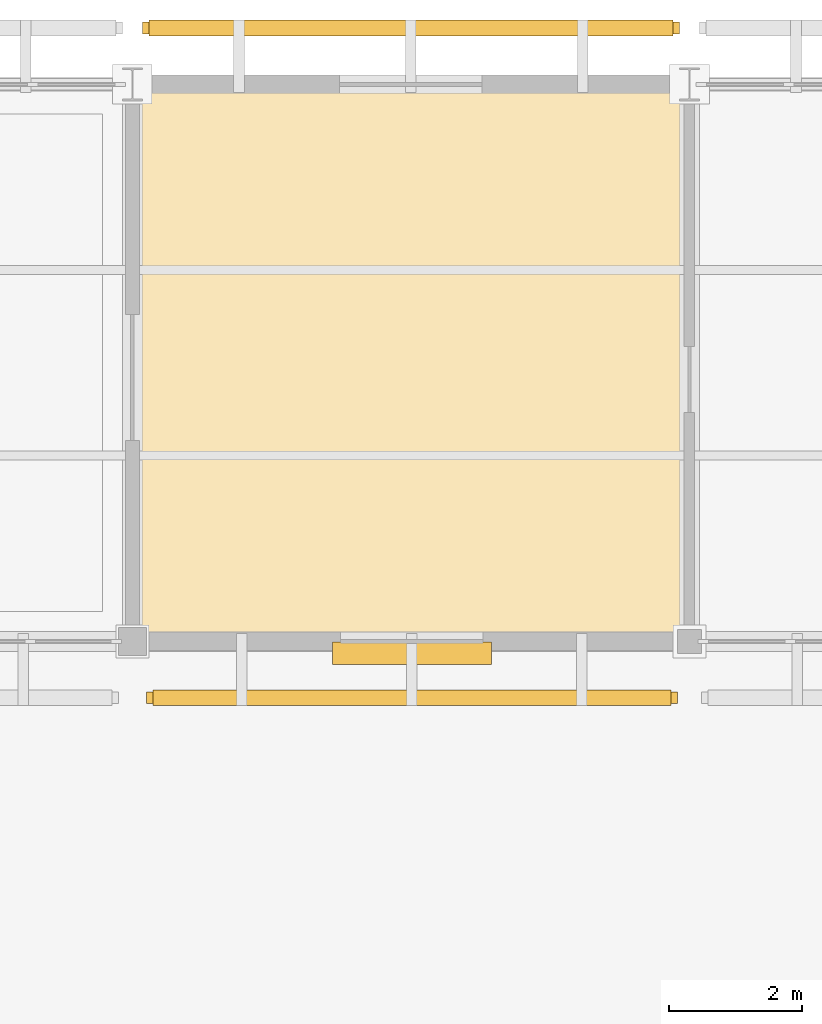
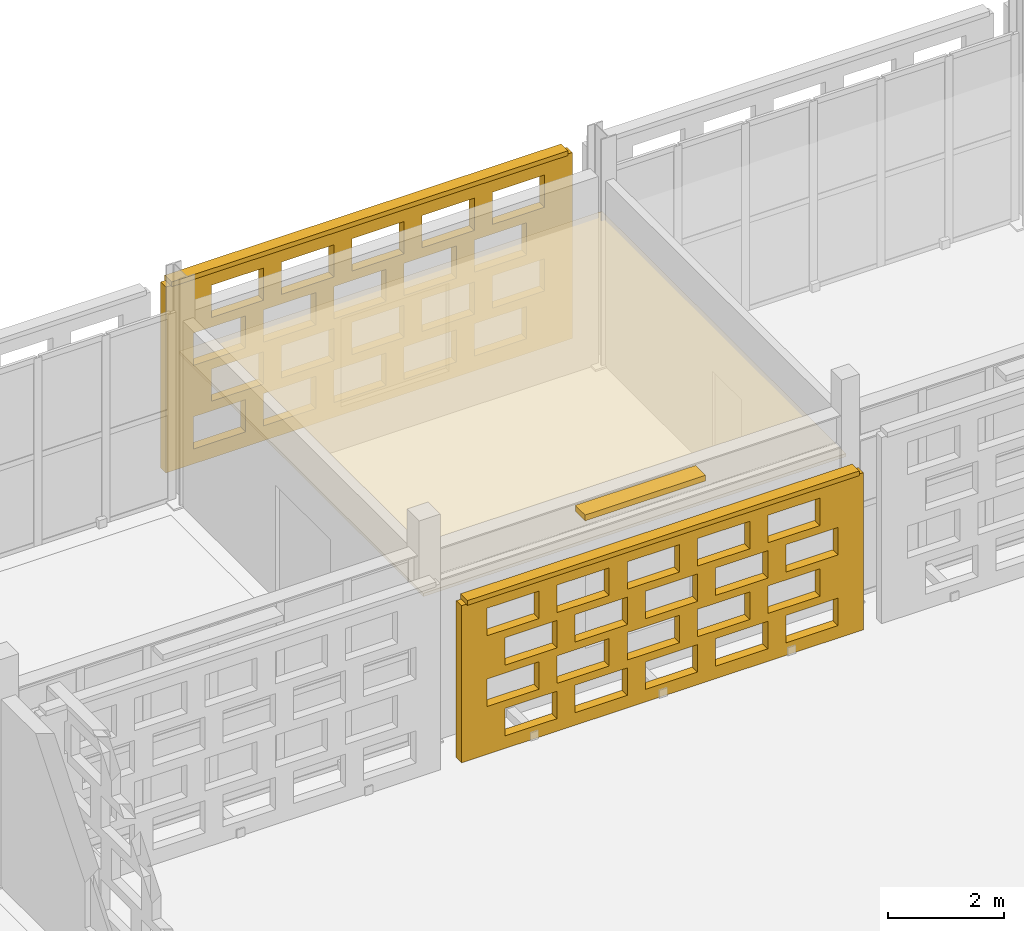
# One storey, part 175 of 203: 3 coverings, 3 shading devices, 40 openings.
"""IFC4 building model written with IfcOpenShell, lengths in metres."""

from ifc_helpers import new_model, si_unit, direction, frame, frame_2d, origin, origin_2d, place, context, subcontext, project, spatial, rectangle, extrude, material, layer, layer_set, type_object, element, save


model = new_model("IFC4")

# Units and contexts
model_context = context("Model", 3, precision=1e-05, world=origin(), true_north=direction((0.0, 1.0)))
body_context = subcontext(model_context, "Body", "Model", "MODEL_VIEW")
ifc_project = project(units=[si_unit("LENGTHUNIT", "METRE"), si_unit("AREAUNIT", "SQUARE_METRE"), si_unit("VOLUMEUNIT", "CUBIC_METRE"), si_unit("PLANEANGLEUNIT", "RADIAN"), si_unit("MASSUNIT", "GRAM", prefix="KILO")], contexts=[model_context])

# Site, building, storey
site_placement = place(None, origin())
site = spatial("IfcSite", under=ifc_project, at=site_placement, CompositionType="ELEMENT")
building_placement = place(site_placement, origin())
building = spatial("IfcBuilding", under=site, at=building_placement, Name="Varnapada Polytechnic", CompositionType="ELEMENT")
storey_placement = place(building_placement, frame((0.0, 0.0, 4.800048828125)))
storey = spatial("IfcBuildingStorey", under=building, at=storey_placement, Name="L01", CompositionType="ELEMENT", Elevation=4.800048828125)

# Shading device
ifc_material_1 = material(Name="Anodised aluminium", Category="aluminium")
ifc_layer_1 = layer(ifc_material_1, 0.35009765625)
ifc_layer_set_1 = layer_set([ifc_layer_1], Name="Anodised aluminium")
shading_device_type_1 = type_object("IfcShadingDeviceType", Name="Solar Louvre LVR-01", PredefinedType="JALOUSIE", material=ifc_layer_set_1)
shading_device_1_placement = place(storey_placement, frame((71.4150390625, 117.419921875, 3.760009765625), z_axis=(0.0, 0.0, 1.0), x_axis=(-1.0, 0.0, 0.0)))
element("IfcShadingDevice", 1, at=shading_device_1_placement, inside=storey, type_object=shading_device_type_1, Name="L01 aluminium sun louvre 64", PredefinedType="JALOUSIE", context=body_context, shape_type="SweptSolid", body=[
    extrude(rectangle(XDim=2.39990234375, YDim=0.340087890625, at=origin_2d()), origin(), (0.0, 0.0, 1.0), 0.1201171875),
])

# Covering
ifc_material_2 = material(Name="Deep Acoustic Auditorium Cloud Baffle")
ifc_layer_2 = layer(ifc_material_2, 0.06494140625)
ifc_layer_set_2 = layer_set([ifc_layer_2], Name="Deep Acoustic Auditorium Cloud Baffle")
covering_type_1 = type_object("IfcCoveringType", Name="Suspended Ceiling CLG-07", PredefinedType="CEILING", material=ifc_layer_set_2)
covering_1_placement = place(storey_placement, frame((71.39990234375, 121.800048828125, 3.017578125), z_axis=(0.0, 0.0, 1.0), x_axis=(1.0, 0.0, 0.0)))
element("IfcCovering", 2, at=covering_1_placement, inside=storey, type_object=covering_type_1, Name="L01 suspended acoustic ceiling (9,15)", PredefinedType="CEILING", context=body_context, shape_type="SweptSolid", body=[
    extrude(rectangle(XDim=8.419921875, YDim=8.419921875, at=origin_2d()), origin(), (0.0, 0.0, 1.0), 0.06494140625),
])

# Covering, openings
ifc_material_3 = material(Name="Earth-toned architectural terracotta screen block", Category="masonry")
ifc_layer_3 = layer(ifc_material_3, 0.1201171875)
ifc_layer_set_3 = layer_set([ifc_layer_3], Name="Earth-toned architectural terracotta screen block")
covering_type_2 = type_object("IfcCoveringType", Name="Terracotta Screen Cladding CLD-01", PredefinedType="CLADDING", material=ifc_layer_set_3)
covering_2_placement = place(storey_placement, frame((75.419921875, 116.75, 0.0), z_axis=(0.0, 0.0, 1.0), x_axis=(-1.0, 0.0, 0.0)))
covering_2 = element("IfcCovering", 3, at=covering_2_placement, inside=storey, type_object=covering_type_2, Name="L01 perforated terracotta block screen (64)", PredefinedType="CLADDING", context=body_context, shape_type="SweptSolid", body=[
    extrude(rectangle(XDim=8.010009765625, YDim=0.179931640625, at=frame_2d((4.0048828125, 0.0))), origin(), (0.0, 0.0, 1.0), 3.31005859375),
])
opening_1_placement = place(covering_2_placement, frame((0.5048828125, 0.0, 0.264892578125)))
element("IfcOpeningElement", 4, at=opening_1_placement, cuts=covering_2, Name="Screen perforation TBS-L01-063.1", PredefinedType="OPENING", context=body_context, shape_type="SweptSolid", body=[
    extrude(rectangle(XDim=1.0400390625, YDim=0.5791015625, at=frame_2d((0.52001953125, 0.28955078125))), frame((0.0, 0.099853515625, 0.0), z_axis=(0.0, -1.0, 0.0), x_axis=(1.0, 0.0, 0.0)), (0.0, 0.0, 1.0), 0.199951171875),
])
opening_2_placement = place(covering_2_placement, frame((1.905029296875, 0.0, 0.264892578125)))
element("IfcOpeningElement", 5, at=opening_2_placement, cuts=covering_2, Name="Screen perforation TBS-L01-063.2", PredefinedType="OPENING", context=body_context, shape_type="SweptSolid", body=[
    extrude(rectangle(XDim=1.0400390625, YDim=0.5791015625, at=frame_2d((0.52001953125, 0.28955078125))), frame((0.0, 0.099853515625, 0.0), z_axis=(0.0, -1.0, 0.0), x_axis=(1.0, 0.0, 0.0)), (0.0, 0.0, 1.0), 0.199951171875),
])
opening_3_placement = place(covering_2_placement, frame((3.304931640625, 0.0, 0.264892578125)))
element("IfcOpeningElement", 6, at=opening_3_placement, cuts=covering_2, Name="Screen perforation TBS-L01-063.3", PredefinedType="OPENING", context=body_context, shape_type="SweptSolid", body=[
    extrude(rectangle(XDim=1.0400390625, YDim=0.5791015625, at=frame_2d((0.52001953125, 0.28955078125))), frame((0.0, 0.099853515625, 0.0), z_axis=(0.0, -1.0, 0.0), x_axis=(1.0, 0.0, 0.0)), (0.0, 0.0, 1.0), 0.199951171875),
])
opening_4_placement = place(covering_2_placement, frame((4.705078125, 0.0, 0.264892578125)))
element("IfcOpeningElement", 7, at=opening_4_placement, cuts=covering_2, Name="Screen perforation TBS-L01-063.4", PredefinedType="OPENING", context=body_context, shape_type="SweptSolid", body=[
    extrude(rectangle(XDim=1.0400390625, YDim=0.5791015625, at=frame_2d((0.52001953125, 0.28955078125))), frame((0.0, 0.099853515625, 0.0), z_axis=(0.0, -1.0, 0.0), x_axis=(1.0, 0.0, 0.0)), (0.0, 0.0, 1.0), 0.199951171875),
])
opening_5_placement = place(covering_2_placement, frame((6.10498046875, 0.0, 0.264892578125)))
element("IfcOpeningElement", 8, at=opening_5_placement, cuts=covering_2, Name="Screen perforation TBS-L01-063.5", PredefinedType="OPENING", context=body_context, shape_type="SweptSolid", body=[
    extrude(rectangle(XDim=1.0400390625, YDim=0.5791015625, at=frame_2d((0.52001953125, 0.28955078125))), frame((0.0, 0.099853515625, 0.0), z_axis=(0.0, -1.0, 0.0), x_axis=(1.0, 0.0, 0.0)), (0.0, 0.0, 1.0), 0.199951171875),
])
opening_6_placement = place(covering_2_placement, frame((0.864990234375, 0.0, 1.009521484375)))
element("IfcOpeningElement", 9, at=opening_6_placement, cuts=covering_2, Name="Screen perforation TBS-L01-063.6", PredefinedType="OPENING", context=body_context, shape_type="SweptSolid", body=[
    extrude(rectangle(XDim=1.0400390625, YDim=0.5791015625, at=frame_2d((0.52001953125, 0.28955078125))), frame((0.0, 0.099853515625, 0.0), z_axis=(0.0, -1.0, 0.0), x_axis=(1.0, 0.0, 0.0)), (0.0, 0.0, 1.0), 0.199951171875),
])
opening_7_placement = place(covering_2_placement, frame((2.264892578125, 0.0, 1.009521484375)))
element("IfcOpeningElement", 10, at=opening_7_placement, cuts=covering_2, Name="Screen perforation TBS-L01-063.7", PredefinedType="OPENING", context=body_context, shape_type="SweptSolid", body=[
    extrude(rectangle(XDim=1.0400390625, YDim=0.5791015625, at=frame_2d((0.52001953125, 0.28955078125))), frame((0.0, 0.099853515625, 0.0), z_axis=(0.0, -1.0, 0.0), x_axis=(1.0, 0.0, 0.0)), (0.0, 0.0, 1.0), 0.199951171875),
])
opening_8_placement = place(covering_2_placement, frame((3.6650390625, 0.0, 1.009521484375)))
element("IfcOpeningElement", 11, at=opening_8_placement, cuts=covering_2, Name="Screen perforation TBS-L01-063.8", PredefinedType="OPENING", context=body_context, shape_type="SweptSolid", body=[
    extrude(rectangle(XDim=1.0400390625, YDim=0.5791015625, at=frame_2d((0.52001953125, 0.28955078125))), frame((0.0, 0.099853515625, 0.0), z_axis=(0.0, -1.0, 0.0), x_axis=(1.0, 0.0, 0.0)), (0.0, 0.0, 1.0), 0.199951171875),
])
opening_9_placement = place(covering_2_placement, frame((5.06494140625, 0.0, 1.009521484375)))
element("IfcOpeningElement", 12, at=opening_9_placement, cuts=covering_2, Name="Screen perforation TBS-L01-063.9", PredefinedType="OPENING", context=body_context, shape_type="SweptSolid", body=[
    extrude(rectangle(XDim=1.0400390625, YDim=0.5791015625, at=frame_2d((0.52001953125, 0.28955078125))), frame((0.0, 0.099853515625, 0.0), z_axis=(0.0, -1.0, 0.0), x_axis=(1.0, 0.0, 0.0)), (0.0, 0.0, 1.0), 0.199951171875),
])
opening_10_placement = place(covering_2_placement, frame((6.465087890625, 0.0, 1.009521484375)))
element("IfcOpeningElement", 13, at=opening_10_placement, cuts=covering_2, Name="Screen perforation TBS-L01-063.10", PredefinedType="OPENING", context=body_context, shape_type="SweptSolid", body=[
    extrude(rectangle(XDim=1.0400390625, YDim=0.5791015625, at=frame_2d((0.52001953125, 0.28955078125))), frame((0.0, 0.099853515625, 0.0), z_axis=(0.0, -1.0, 0.0), x_axis=(1.0, 0.0, 0.0)), (0.0, 0.0, 1.0), 0.199951171875),
])
opening_11_placement = place(covering_2_placement, frame((0.5048828125, 0.0, 1.75439453125)))
element("IfcOpeningElement", 14, at=opening_11_placement, cuts=covering_2, Name="Screen perforation TBS-L01-063.11", PredefinedType="OPENING", context=body_context, shape_type="SweptSolid", body=[
    extrude(rectangle(XDim=1.0400390625, YDim=0.5791015625, at=frame_2d((0.52001953125, 0.28955078125))), frame((0.0, 0.099853515625, 0.0), z_axis=(0.0, -1.0, 0.0), x_axis=(1.0, 0.0, 0.0)), (0.0, 0.0, 1.0), 0.199951171875),
])
opening_12_placement = place(covering_2_placement, frame((1.905029296875, 0.0, 1.75439453125)))
element("IfcOpeningElement", 15, at=opening_12_placement, cuts=covering_2, Name="Screen perforation TBS-L01-063.12", PredefinedType="OPENING", context=body_context, shape_type="SweptSolid", body=[
    extrude(rectangle(XDim=1.0400390625, YDim=0.5791015625, at=frame_2d((0.52001953125, 0.28955078125))), frame((0.0, 0.099853515625, 0.0), z_axis=(0.0, -1.0, 0.0), x_axis=(1.0, 0.0, 0.0)), (0.0, 0.0, 1.0), 0.199951171875),
])
opening_13_placement = place(covering_2_placement, frame((3.304931640625, 0.0, 1.75439453125)))
element("IfcOpeningElement", 16, at=opening_13_placement, cuts=covering_2, Name="Screen perforation TBS-L01-063.13", PredefinedType="OPENING", context=body_context, shape_type="SweptSolid", body=[
    extrude(rectangle(XDim=1.0400390625, YDim=0.5791015625, at=frame_2d((0.52001953125, 0.28955078125))), frame((0.0, 0.099853515625, 0.0), z_axis=(0.0, -1.0, 0.0), x_axis=(1.0, 0.0, 0.0)), (0.0, 0.0, 1.0), 0.199951171875),
])
opening_14_placement = place(covering_2_placement, frame((4.705078125, 0.0, 1.75439453125)))
element("IfcOpeningElement", 17, at=opening_14_placement, cuts=covering_2, Name="Screen perforation TBS-L01-063.14", PredefinedType="OPENING", context=body_context, shape_type="SweptSolid", body=[
    extrude(rectangle(XDim=1.0400390625, YDim=0.5791015625, at=frame_2d((0.52001953125, 0.28955078125))), frame((0.0, 0.099853515625, 0.0), z_axis=(0.0, -1.0, 0.0), x_axis=(1.0, 0.0, 0.0)), (0.0, 0.0, 1.0), 0.199951171875),
])
opening_15_placement = place(covering_2_placement, frame((6.10498046875, 0.0, 1.75439453125)))
element("IfcOpeningElement", 18, at=opening_15_placement, cuts=covering_2, Name="Screen perforation TBS-L01-063.15", PredefinedType="OPENING", context=body_context, shape_type="SweptSolid", body=[
    extrude(rectangle(XDim=1.0400390625, YDim=0.5791015625, at=frame_2d((0.52001953125, 0.28955078125))), frame((0.0, 0.099853515625, 0.0), z_axis=(0.0, -1.0, 0.0), x_axis=(1.0, 0.0, 0.0)), (0.0, 0.0, 1.0), 0.199951171875),
])
opening_16_placement = place(covering_2_placement, frame((0.864990234375, 0.0, 2.4990234375)))
element("IfcOpeningElement", 19, at=opening_16_placement, cuts=covering_2, Name="Screen perforation TBS-L01-063.16", PredefinedType="OPENING", context=body_context, shape_type="SweptSolid", body=[
    extrude(rectangle(XDim=1.0400390625, YDim=0.5791015625, at=frame_2d((0.52001953125, 0.28955078125))), frame((0.0, 0.099853515625, 0.0), z_axis=(0.0, -1.0, 0.0), x_axis=(1.0, 0.0, 0.0)), (0.0, 0.0, 1.0), 0.199951171875),
])
opening_17_placement = place(covering_2_placement, frame((2.264892578125, 0.0, 2.4990234375)))
element("IfcOpeningElement", 20, at=opening_17_placement, cuts=covering_2, Name="Screen perforation TBS-L01-063.17", PredefinedType="OPENING", context=body_context, shape_type="SweptSolid", body=[
    extrude(rectangle(XDim=1.0400390625, YDim=0.5791015625, at=frame_2d((0.52001953125, 0.28955078125))), frame((0.0, 0.099853515625, 0.0), z_axis=(0.0, -1.0, 0.0), x_axis=(1.0, 0.0, 0.0)), (0.0, 0.0, 1.0), 0.199951171875),
])
opening_18_placement = place(covering_2_placement, frame((3.6650390625, 0.0, 2.4990234375)))
element("IfcOpeningElement", 21, at=opening_18_placement, cuts=covering_2, Name="Screen perforation TBS-L01-063.18", PredefinedType="OPENING", context=body_context, shape_type="SweptSolid", body=[
    extrude(rectangle(XDim=1.0400390625, YDim=0.5791015625, at=frame_2d((0.52001953125, 0.28955078125))), frame((0.0, 0.099853515625, 0.0), z_axis=(0.0, -1.0, 0.0), x_axis=(1.0, 0.0, 0.0)), (0.0, 0.0, 1.0), 0.199951171875),
])
opening_19_placement = place(covering_2_placement, frame((5.06494140625, 0.0, 2.4990234375)))
element("IfcOpeningElement", 22, at=opening_19_placement, cuts=covering_2, Name="Screen perforation TBS-L01-063.19", PredefinedType="OPENING", context=body_context, shape_type="SweptSolid", body=[
    extrude(rectangle(XDim=1.0400390625, YDim=0.5791015625, at=frame_2d((0.52001953125, 0.28955078125))), frame((0.0, 0.099853515625, 0.0), z_axis=(0.0, -1.0, 0.0), x_axis=(1.0, 0.0, 0.0)), (0.0, 0.0, 1.0), 0.199951171875),
])
opening_20_placement = place(covering_2_placement, frame((6.465087890625, 0.0, 2.4990234375)))
element("IfcOpeningElement", 23, at=opening_20_placement, cuts=covering_2, Name="Screen perforation TBS-L01-063.20", PredefinedType="OPENING", context=body_context, shape_type="SweptSolid", body=[
    extrude(rectangle(XDim=1.0400390625, YDim=0.5791015625, at=frame_2d((0.52001953125, 0.28955078125))), frame((0.0, 0.099853515625, 0.0), z_axis=(0.0, -1.0, 0.0), x_axis=(1.0, 0.0, 0.0)), (0.0, 0.0, 1.0), 0.199951171875),
])

covering_3_placement = place(storey_placement, frame((67.35009765625, 126.85009765625, 0.0), z_axis=(0.0, 0.0, 1.0), x_axis=(1.0, 0.0, 0.0)))
covering_3 = element("IfcCovering", 24, at=covering_3_placement, inside=storey, type_object=covering_type_2, Name="L01 perforated terracotta block screen (65)", PredefinedType="CLADDING", context=body_context, shape_type="SweptSolid", body=[
    extrude(rectangle(XDim=8.099853515625, YDim=0.179931640625, at=frame_2d((4.0498046875, 0.0))), origin(), (0.0, 0.0, 1.0), 3.919921875),
])
opening_21_placement = place(covering_3_placement, frame((0.550048828125, 0.0, 0.313720703125)))
element("IfcOpeningElement", 25, at=opening_21_placement, cuts=covering_3, Name="Screen perforation TBS-L01-064.1", PredefinedType="OPENING", context=body_context, shape_type="SweptSolid", body=[
    extrude(rectangle(XDim=1.0400390625, YDim=0.679931640625, at=frame_2d((0.52001953125, 0.33984375))), frame((0.0, 0.099853515625, 0.0), z_axis=(0.0, -1.0, 0.0), x_axis=(1.0, 0.0, 0.0)), (0.0, 0.0, 1.0), 0.199951171875),
])
opening_22_placement = place(covering_3_placement, frame((1.949951171875, 0.0, 0.313720703125)))
element("IfcOpeningElement", 26, at=opening_22_placement, cuts=covering_3, Name="Screen perforation TBS-L01-064.2", PredefinedType="OPENING", context=body_context, shape_type="SweptSolid", body=[
    extrude(rectangle(XDim=1.0400390625, YDim=0.679931640625, at=frame_2d((0.52001953125, 0.33984375))), frame((0.0, 0.099853515625, 0.0), z_axis=(0.0, -1.0, 0.0), x_axis=(1.0, 0.0, 0.0)), (0.0, 0.0, 1.0), 0.199951171875),
])
opening_23_placement = place(covering_3_placement, frame((3.35009765625, 0.0, 0.313720703125)))
element("IfcOpeningElement", 27, at=opening_23_placement, cuts=covering_3, Name="Screen perforation TBS-L01-064.3", PredefinedType="OPENING", context=body_context, shape_type="SweptSolid", body=[
    extrude(rectangle(XDim=1.0400390625, YDim=0.679931640625, at=frame_2d((0.52001953125, 0.33984375))), frame((0.0, 0.099853515625, 0.0), z_axis=(0.0, -1.0, 0.0), x_axis=(1.0, 0.0, 0.0)), (0.0, 0.0, 1.0), 0.199951171875),
])
opening_24_placement = place(covering_3_placement, frame((4.75, 0.0, 0.313720703125)))
element("IfcOpeningElement", 28, at=opening_24_placement, cuts=covering_3, Name="Screen perforation TBS-L01-064.4", PredefinedType="OPENING", context=body_context, shape_type="SweptSolid", body=[
    extrude(rectangle(XDim=1.0400390625, YDim=0.679931640625, at=frame_2d((0.52001953125, 0.33984375))), frame((0.0, 0.099853515625, 0.0), z_axis=(0.0, -1.0, 0.0), x_axis=(1.0, 0.0, 0.0)), (0.0, 0.0, 1.0), 0.199951171875),
])
opening_25_placement = place(covering_3_placement, frame((6.14990234375, 0.0, 0.313720703125)))
element("IfcOpeningElement", 29, at=opening_25_placement, cuts=covering_3, Name="Screen perforation TBS-L01-064.5", PredefinedType="OPENING", context=body_context, shape_type="SweptSolid", body=[
    extrude(rectangle(XDim=1.0400390625, YDim=0.679931640625, at=frame_2d((0.52001953125, 0.33984375))), frame((0.0, 0.099853515625, 0.0), z_axis=(0.0, -1.0, 0.0), x_axis=(1.0, 0.0, 0.0)), (0.0, 0.0, 1.0), 0.199951171875),
])
opening_26_placement = place(covering_3_placement, frame((0.909912109375, 0.0, 1.195556640625)))
element("IfcOpeningElement", 30, at=opening_26_placement, cuts=covering_3, Name="Screen perforation TBS-L01-064.6", PredefinedType="OPENING", context=body_context, shape_type="SweptSolid", body=[
    extrude(rectangle(XDim=1.0400390625, YDim=0.679931640625, at=frame_2d((0.52001953125, 0.33984375))), frame((0.0, 0.099853515625, 0.0), z_axis=(0.0, -1.0, 0.0), x_axis=(1.0, 0.0, 0.0)), (0.0, 0.0, 1.0), 0.199951171875),
])
opening_27_placement = place(covering_3_placement, frame((2.31005859375, 0.0, 1.195556640625)))
element("IfcOpeningElement", 31, at=opening_27_placement, cuts=covering_3, Name="Screen perforation TBS-L01-064.7", PredefinedType="OPENING", context=body_context, shape_type="SweptSolid", body=[
    extrude(rectangle(XDim=1.0400390625, YDim=0.679931640625, at=frame_2d((0.52001953125, 0.33984375))), frame((0.0, 0.099853515625, 0.0), z_axis=(0.0, -1.0, 0.0), x_axis=(1.0, 0.0, 0.0)), (0.0, 0.0, 1.0), 0.199951171875),
])
opening_28_placement = place(covering_3_placement, frame((3.7099609375, 0.0, 1.195556640625)))
element("IfcOpeningElement", 32, at=opening_28_placement, cuts=covering_3, Name="Screen perforation TBS-L01-064.8", PredefinedType="OPENING", context=body_context, shape_type="SweptSolid", body=[
    extrude(rectangle(XDim=1.0400390625, YDim=0.679931640625, at=frame_2d((0.52001953125, 0.33984375))), frame((0.0, 0.099853515625, 0.0), z_axis=(0.0, -1.0, 0.0), x_axis=(1.0, 0.0, 0.0)), (0.0, 0.0, 1.0), 0.199951171875),
])
opening_29_placement = place(covering_3_placement, frame((5.110107421875, 0.0, 1.195556640625)))
element("IfcOpeningElement", 33, at=opening_29_placement, cuts=covering_3, Name="Screen perforation TBS-L01-064.9", PredefinedType="OPENING", context=body_context, shape_type="SweptSolid", body=[
    extrude(rectangle(XDim=1.0400390625, YDim=0.679931640625, at=frame_2d((0.52001953125, 0.33984375))), frame((0.0, 0.099853515625, 0.0), z_axis=(0.0, -1.0, 0.0), x_axis=(1.0, 0.0, 0.0)), (0.0, 0.0, 1.0), 0.199951171875),
])
opening_30_placement = place(covering_3_placement, frame((6.510009765625, 0.0, 1.195556640625)))
element("IfcOpeningElement", 34, at=opening_30_placement, cuts=covering_3, Name="Screen perforation TBS-L01-064.10", PredefinedType="OPENING", context=body_context, shape_type="SweptSolid", body=[
    extrude(rectangle(XDim=1.0400390625, YDim=0.679931640625, at=frame_2d((0.52001953125, 0.33984375))), frame((0.0, 0.099853515625, 0.0), z_axis=(0.0, -1.0, 0.0), x_axis=(1.0, 0.0, 0.0)), (0.0, 0.0, 1.0), 0.199951171875),
])
opening_31_placement = place(covering_3_placement, frame((0.550048828125, 0.0, 2.07763671875)))
element("IfcOpeningElement", 35, at=opening_31_placement, cuts=covering_3, Name="Screen perforation TBS-L01-064.11", PredefinedType="OPENING", context=body_context, shape_type="SweptSolid", body=[
    extrude(rectangle(XDim=1.0400390625, YDim=0.679931640625, at=frame_2d((0.52001953125, 0.33984375))), frame((0.0, 0.099853515625, 0.0), z_axis=(0.0, -1.0, 0.0), x_axis=(1.0, 0.0, 0.0)), (0.0, 0.0, 1.0), 0.199951171875),
])
opening_32_placement = place(covering_3_placement, frame((1.949951171875, 0.0, 2.07763671875)))
element("IfcOpeningElement", 36, at=opening_32_placement, cuts=covering_3, Name="Screen perforation TBS-L01-064.12", PredefinedType="OPENING", context=body_context, shape_type="SweptSolid", body=[
    extrude(rectangle(XDim=1.0400390625, YDim=0.679931640625, at=frame_2d((0.52001953125, 0.33984375))), frame((0.0, 0.099853515625, 0.0), z_axis=(0.0, -1.0, 0.0), x_axis=(1.0, 0.0, 0.0)), (0.0, 0.0, 1.0), 0.199951171875),
])
opening_33_placement = place(covering_3_placement, frame((3.35009765625, 0.0, 2.07763671875)))
element("IfcOpeningElement", 37, at=opening_33_placement, cuts=covering_3, Name="Screen perforation TBS-L01-064.13", PredefinedType="OPENING", context=body_context, shape_type="SweptSolid", body=[
    extrude(rectangle(XDim=1.0400390625, YDim=0.679931640625, at=frame_2d((0.52001953125, 0.33984375))), frame((0.0, 0.099853515625, 0.0), z_axis=(0.0, -1.0, 0.0), x_axis=(1.0, 0.0, 0.0)), (0.0, 0.0, 1.0), 0.199951171875),
])
opening_34_placement = place(covering_3_placement, frame((4.75, 0.0, 2.07763671875)))
element("IfcOpeningElement", 38, at=opening_34_placement, cuts=covering_3, Name="Screen perforation TBS-L01-064.14", PredefinedType="OPENING", context=body_context, shape_type="SweptSolid", body=[
    extrude(rectangle(XDim=1.0400390625, YDim=0.679931640625, at=frame_2d((0.52001953125, 0.33984375))), frame((0.0, 0.099853515625, 0.0), z_axis=(0.0, -1.0, 0.0), x_axis=(1.0, 0.0, 0.0)), (0.0, 0.0, 1.0), 0.199951171875),
])
opening_35_placement = place(covering_3_placement, frame((6.14990234375, 0.0, 2.07763671875)))
element("IfcOpeningElement", 39, at=opening_35_placement, cuts=covering_3, Name="Screen perforation TBS-L01-064.15", PredefinedType="OPENING", context=body_context, shape_type="SweptSolid", body=[
    extrude(rectangle(XDim=1.0400390625, YDim=0.679931640625, at=frame_2d((0.52001953125, 0.33984375))), frame((0.0, 0.099853515625, 0.0), z_axis=(0.0, -1.0, 0.0), x_axis=(1.0, 0.0, 0.0)), (0.0, 0.0, 1.0), 0.199951171875),
])
opening_36_placement = place(covering_3_placement, frame((0.909912109375, 0.0, 2.959716796875)))
element("IfcOpeningElement", 40, at=opening_36_placement, cuts=covering_3, Name="Screen perforation TBS-L01-064.16", PredefinedType="OPENING", context=body_context, shape_type="SweptSolid", body=[
    extrude(rectangle(XDim=1.0400390625, YDim=0.679931640625, at=frame_2d((0.52001953125, 0.33984375))), frame((0.0, 0.099853515625, 0.0), z_axis=(0.0, -1.0, 0.0), x_axis=(1.0, 0.0, 0.0)), (0.0, 0.0, 1.0), 0.199951171875),
])
opening_37_placement = place(covering_3_placement, frame((2.31005859375, 0.0, 2.959716796875)))
element("IfcOpeningElement", 41, at=opening_37_placement, cuts=covering_3, Name="Screen perforation TBS-L01-064.17", PredefinedType="OPENING", context=body_context, shape_type="SweptSolid", body=[
    extrude(rectangle(XDim=1.0400390625, YDim=0.679931640625, at=frame_2d((0.52001953125, 0.33984375))), frame((0.0, 0.099853515625, 0.0), z_axis=(0.0, -1.0, 0.0), x_axis=(1.0, 0.0, 0.0)), (0.0, 0.0, 1.0), 0.199951171875),
])
opening_38_placement = place(covering_3_placement, frame((3.7099609375, 0.0, 2.959716796875)))
element("IfcOpeningElement", 42, at=opening_38_placement, cuts=covering_3, Name="Screen perforation TBS-L01-064.18", PredefinedType="OPENING", context=body_context, shape_type="SweptSolid", body=[
    extrude(rectangle(XDim=1.0400390625, YDim=0.679931640625, at=frame_2d((0.52001953125, 0.33984375))), frame((0.0, 0.099853515625, 0.0), z_axis=(0.0, -1.0, 0.0), x_axis=(1.0, 0.0, 0.0)), (0.0, 0.0, 1.0), 0.199951171875),
])
opening_39_placement = place(covering_3_placement, frame((5.110107421875, 0.0, 2.959716796875)))
element("IfcOpeningElement", 43, at=opening_39_placement, cuts=covering_3, Name="Screen perforation TBS-L01-064.19", PredefinedType="OPENING", context=body_context, shape_type="SweptSolid", body=[
    extrude(rectangle(XDim=1.0400390625, YDim=0.679931640625, at=frame_2d((0.52001953125, 0.33984375))), frame((0.0, 0.099853515625, 0.0), z_axis=(0.0, -1.0, 0.0), x_axis=(1.0, 0.0, 0.0)), (0.0, 0.0, 1.0), 0.199951171875),
])
opening_40_placement = place(covering_3_placement, frame((6.510009765625, 0.0, 2.959716796875)))
element("IfcOpeningElement", 44, at=opening_40_placement, cuts=covering_3, Name="Screen perforation TBS-L01-064.20", PredefinedType="OPENING", context=body_context, shape_type="SweptSolid", body=[
    extrude(rectangle(XDim=1.0400390625, YDim=0.679931640625, at=frame_2d((0.52001953125, 0.33984375))), frame((0.0, 0.099853515625, 0.0), z_axis=(0.0, -1.0, 0.0), x_axis=(1.0, 0.0, 0.0)), (0.0, 0.0, 1.0), 0.199951171875),
])

# Shading devices
ifc_layer_4 = layer(ifc_material_3, 0.179931640625)
ifc_layer_set_4 = layer_set([ifc_layer_4], Name="Earth-toned architectural terracotta screen block")
shading_device_type_2 = type_object("IfcShadingDeviceType", Name="Terracotta Screen SCR-02", PredefinedType="USERDEFINED", material=ifc_layer_set_4)
shading_device_2_placement = place(storey_placement, frame((71.4150390625, 116.75, 3.2998046875), z_axis=(0.0, 0.0, 1.0), x_axis=(-1.0, 0.0, 0.0)))
element("IfcShadingDevice", 45, at=shading_device_2_placement, inside=storey, type_object=shading_device_type_2, Name="L01 perforated terracotta screen hood 143", ObjectType="SCREEN", PredefinedType="USERDEFINED", context=body_context, shape_type="SweptSolid", body=[
    extrude(rectangle(XDim=7.81005859375, YDim=0.239990234375, at=origin_2d()), origin(), (0.0, 0.0, 1.0), 0.10009765625),
])
shading_device_3_placement = place(storey_placement, frame((71.39990234375, 126.85009765625, 3.909912109375), z_axis=(0.0, 0.0, 1.0), x_axis=(1.0, 0.0, 0.0)))
element("IfcShadingDevice", 46, at=shading_device_3_placement, inside=storey, type_object=shading_device_type_2, Name="L01 perforated terracotta screen hood 144", ObjectType="SCREEN", PredefinedType="USERDEFINED", context=body_context, shape_type="SweptSolid", body=[
    extrude(rectangle(XDim=7.89990234375, YDim=0.239990234375, at=origin_2d()), origin(), (0.0, 0.0, 1.0), 0.10009765625),
])

save(model, "model.ifc")
